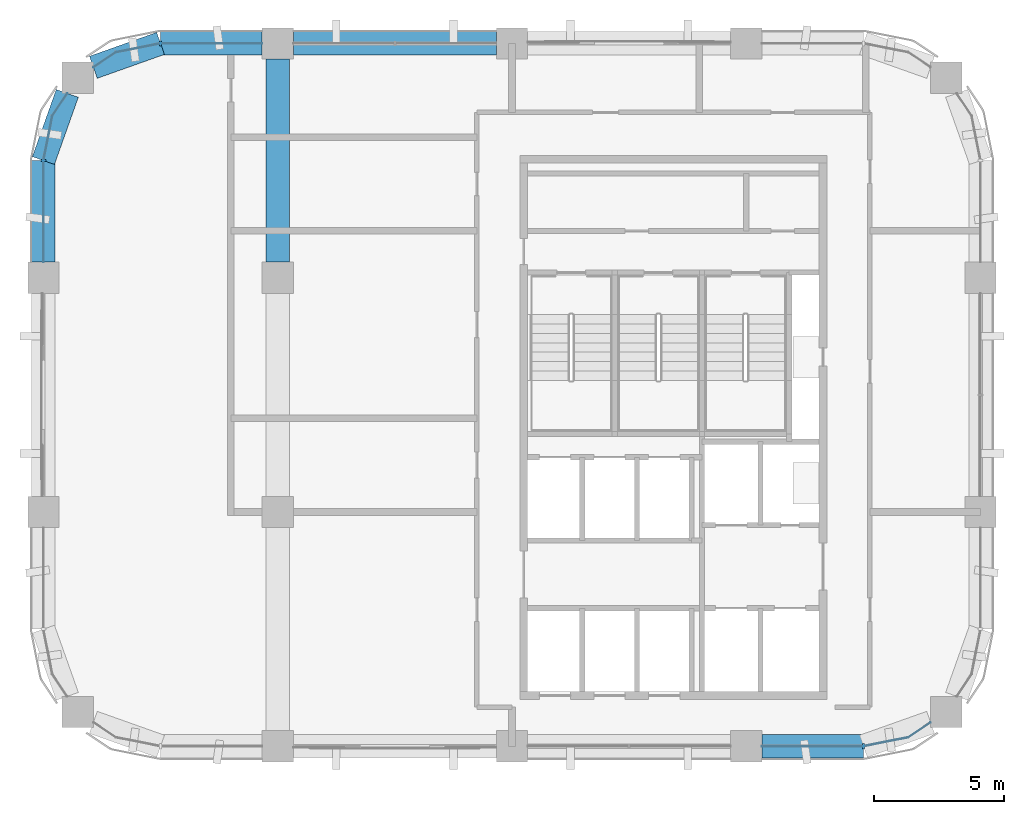
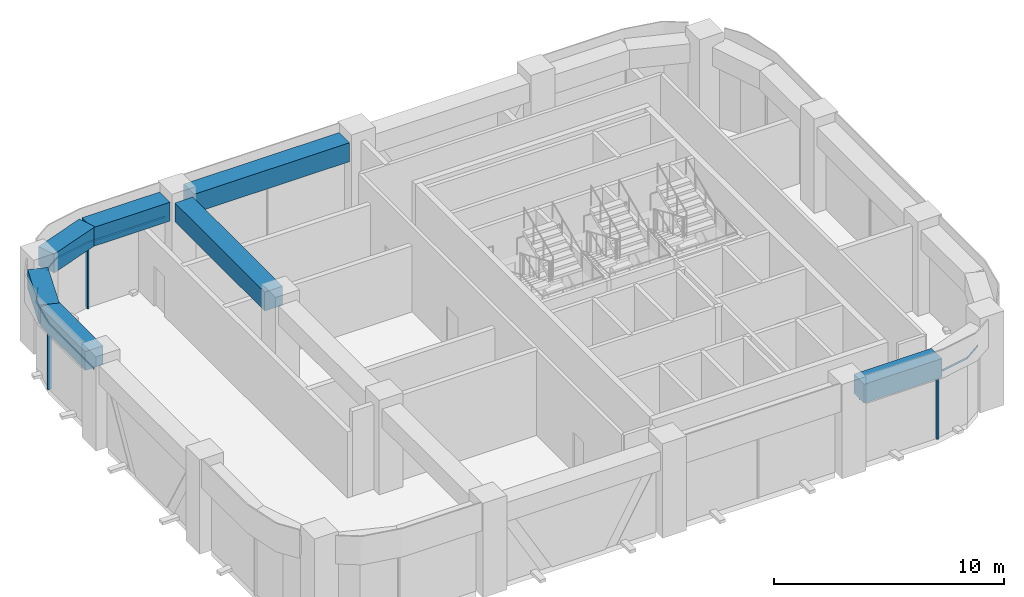
# One storey, part 3 of 11: 7 beams, 6 members, 3 elements without a shape of their own.
"""IFC4 building model written with IfcOpenShell, lengths in metres."""

from ifc_helpers import new_model, si_unit, direction, frame, origin, origin_2d, place, context, subcontext, project, spatial, polyline, rectangle, outline, extrude, material, material_profile, profile_set, type_object, element, aggregate, save


model = new_model("IFC4")

# Units and contexts
model_context = context("Model", 3, precision=1e-05, world=origin(), true_north=direction((0.0, 1.0)))
body_context = subcontext(model_context, "Body", "Model", "MODEL_VIEW")
ifc_project = project(units=[si_unit("LENGTHUNIT", "METRE"), si_unit("AREAUNIT", "SQUARE_METRE"), si_unit("VOLUMEUNIT", "CUBIC_METRE"), si_unit("PLANEANGLEUNIT", "RADIAN"), si_unit("MASSUNIT", "GRAM", prefix="KILO")], contexts=[model_context])

# Site, building, storey
site_placement = place(None, origin())
site = spatial("IfcSite", under=ifc_project, at=site_placement, CompositionType="ELEMENT")
building_placement = place(site_placement, origin())
building = spatial("IfcBuilding", under=site, at=building_placement, Name="Tessera Arch", CompositionType="ELEMENT")
storey_placement = place(building_placement, frame((0.0, 0.0, 290.199951171875)))
storey = spatial("IfcBuildingStorey", under=building, at=storey_placement, Name="L70", CompositionType="ELEMENT", Elevation=290.199951171875)

# Curtain wall, member
ifc_material_1 = material(Name="CW2 curtain wall")
curtain_wall_type = type_object("IfcCurtainWallType", Name="CW2 curtain wall", PredefinedType="NOTDEFINED", material=ifc_material_1)
curtain_wall_1_placement = place(storey_placement, origin())
curtain_wall_1 = element("IfcCurtainWall", 1, at=curtain_wall_1_placement, inside=storey, type_object=curtain_wall_type, Name="CW2 curtain wall N54.18/3 L70", PredefinedType="NOTDEFINED")
ifc_material_2 = material(Name="Anodised aluminium pale metal", Category="aluminium")
ifc_material_profile_1 = material_profile(ifc_material_2, rectangle(XDim=0.199951171875, YDim=0.080078125, at=origin_2d()), Name="AL 80x200")
ifc_profile_set_1 = profile_set([ifc_material_profile_1], Name="Anodised aluminium pale metal")
member_type_1 = type_object("IfcMemberType", Name="CW2 mullion", PredefinedType="MULLION", material=ifc_profile_set_1)
member_1_placement = place(storey_placement, frame((22.5, 54.0, 0.0), z_axis=(0.0, 0.0, 1.0), x_axis=(0.0, -1.0, 0.0)))
member_1 = element("IfcMember", 2, at=member_1_placement, type_object=member_type_1, Name="CW2 mullion N54.18/3 1", PredefinedType="MULLION", context=body_context, shape_type="SweptSolid", body=[
    extrude(rectangle(XDim=0.199951171875, YDim=0.080078125, at=origin_2d()), origin(), (0.0, 0.0, 1.0), 3.400146484375),
])

curtain_wall_2_placement = place(storey_placement, origin())
curtain_wall_2 = element("IfcCurtainWall", 3, at=curtain_wall_2_placement, inside=storey, type_object=curtain_wall_type, Name="CW2 curtain wall W18.27/0 L70", PredefinedType="NOTDEFINED")
member_2_placement = place(storey_placement, frame((18.0, 49.5, 0.0), z_axis=(0.0, 0.0, 1.0), x_axis=(1.0, 0.0, 0.0)))
member_2 = element("IfcMember", 4, at=member_2_placement, type_object=member_type_1, Name="CW2 mullion W18.27/0 1", PredefinedType="MULLION", context=body_context, shape_type="SweptSolid", body=[
    extrude(rectangle(XDim=0.199951171875, YDim=0.080078125, at=origin_2d()), origin(), (0.0, 0.0, 1.0), 3.400146484375),
])

curtain_wall_3_placement = place(storey_placement, origin())
curtain_wall_3 = element("IfcCurtainWall", 5, at=curtain_wall_3_placement, inside=storey, type_object=curtain_wall_type, Name="CW2 curtain wall S27.18/3 L70", PredefinedType="NOTDEFINED")
member_3_placement = place(storey_placement, frame((49.5, 27.0, 0.0), z_axis=(0.0, 0.0, 1.0), x_axis=(0.0, 1.0, 0.0)))
member_3 = element("IfcMember", 6, at=member_3_placement, type_object=member_type_1, Name="CW2 mullion S27.18/3 1", PredefinedType="MULLION", context=body_context, shape_type="SweptSolid", body=[
    extrude(rectangle(XDim=0.199951171875, YDim=0.080078125, at=origin_2d()), origin(), (0.0, 0.0, 1.0), 3.400146484375),
])

# Member
ifc_material_3 = material(Name="Anodised aluminium pale metal", Category="aluminium")
ifc_material_profile_2 = material_profile(ifc_material_3, rectangle(XDim=0.199951171875, YDim=0.10009765625, at=origin_2d()), Name="AL 200x100")
ifc_profile_set_2 = profile_set([ifc_material_profile_2], Name="Anodised aluminium pale metal")
member_type_2 = type_object("IfcMemberType", Name="CW2 transom", PredefinedType="USERDEFINED", material=ifc_profile_set_2)
member_4_placement = place(storey_placement, frame((0.0, 0.0, 3.400146484375)))
member_4 = element("IfcMember", 7, at=member_4_placement, type_object=member_type_2, Name="CW2 transom N54.18/3 1", ObjectType="TRANSOM", PredefinedType="USERDEFINED", context=body_context, shape_type="SweptSolid", body=[
    extrude(outline(polyline([(22.5009765625, 53.989990234375), (26.39990234375, 53.989990234375), (26.39990234375, 54.010009765625), (22.4990234375, 54.010009765625), (20.77392578125, 53.6669921875), (19.912353515625, 53.09130859375), (19.923583984375, 53.07470703125), (20.78173828125, 53.648193359375), (22.5009765625, 53.989990234375)])), origin(), (0.0, 0.0, 1.0), 0.099853515625),
])

aggregate(curtain_wall_1, [member_1, member_4])

member_5_placement = place(storey_placement, frame((0.0, 0.0, 3.400146484375)))
member_5 = element("IfcMember", 8, at=member_5_placement, type_object=member_type_2, Name="CW2 transom W18.27/0 1", ObjectType="TRANSOM", PredefinedType="USERDEFINED", context=body_context, shape_type="SweptSolid", body=[
    extrude(outline(polyline([(18.351806640625, 51.21826171875), (18.92529296875, 52.076416015625), (18.90869140625, 52.087646484375), (18.3330078125, 51.22607421875), (17.989990234375, 49.5009765625), (17.989990234375, 45.60009765625), (18.010009765625, 45.60009765625), (18.010009765625, 49.4990234375), (18.351806640625, 51.21826171875)])), origin(), (0.0, 0.0, 1.0), 0.099853515625),
])

aggregate(curtain_wall_2, [member_2, member_5])

member_6_placement = place(storey_placement, frame((0.0, 0.0, 3.400146484375)))
member_6 = element("IfcMember", 9, at=member_6_placement, type_object=member_type_2, Name="CW2 transom S27.18/3 1", ObjectType="TRANSOM", PredefinedType="USERDEFINED", context=body_context, shape_type="SweptSolid", body=[
    extrude(outline(polyline([(49.4990234375, 27.010009765625), (45.60009765625, 27.010009765625), (45.60009765625, 26.989990234375), (49.5009765625, 26.989990234375), (51.22607421875, 27.3330078125), (52.087646484375, 27.90869140625), (52.076416015625, 27.92529296875), (51.21826171875, 27.351806640625), (49.4990234375, 27.010009765625)])), origin(), (0.0, 0.0, 1.0), 0.099853515625),
])

aggregate(curtain_wall_3, [member_3, member_6])

# Beams
ifc_material_4 = material(Name="Concrete C60/75", Category="concrete")
ifc_material_profile_3 = material_profile(ifc_material_4, rectangle(XDim=0.89990234375, YDim=1.0, at=origin_2d()), Name="RC spandrel beam 900 x 1000 Concrete C60/75")
ifc_profile_set_3 = profile_set([ifc_material_profile_3], Name="Concrete C60/75")
beam_type = type_object("IfcBeamType", Name="RC spandrel beam 900 x 1000 Concrete C60/75", PredefinedType="BEAM", material=ifc_profile_set_3)
beam_1_placement = place(storey_placement, frame((35.39990234375, 54.0, 4.0), z_axis=(-1.0, 0.0, 0.0), x_axis=(0.0, -1.0, 0.0)))
element("IfcBeam", 10, at=beam_1_placement, inside=storey, type_object=beam_type, Name="Spandrel beam L70 N54.18/2", PredefinedType="BEAM", context=body_context, shape_type="SweptSolid", body=[
    extrude(rectangle(XDim=0.89990234375, YDim=1.0, at=origin_2d()), origin(), (0.0, 0.0, 1.0), 7.7998046875),
])
beam_2_placement = place(storey_placement, frame((26.39990234375, 54.0, 4.0), z_axis=(-1.0, 0.0, 0.0), x_axis=(0.0, -1.0, 0.0)))
element("IfcBeam", 11, at=beam_2_placement, inside=storey, type_object=beam_type, Name="Spandrel beam L70 N54.18/3.1", PredefinedType="BEAM", context=body_context, shape_type="SweptSolid", body=[
    extrude(rectangle(XDim=0.89990234375, YDim=1.0, at=origin_2d()), origin(), (0.0, 0.0, 1.0), 3.89990234375),
])
for number, where, z_axis, x_axis, name in (
    (12, (22.5, 54.0, 4.0), (-0.942337127159, -0.334665114373, 0.0), (0.334665114373, -0.942337127159, 0.0), "Spandrel beam L70 N54.18/3.2"),
    (13, (18.9169921875, 52.08203125, 4.0), (-0.334665114373, -0.942337127159, 0.0), (0.942337127159, -0.334665114373, 0.0), "Spandrel beam L70 W18.27/0.1"),
):
    element("IfcBeam", number, at=place(storey_placement, frame(where, z_axis=z_axis, x_axis=x_axis)), inside=storey, type_object=beam_type, Name=name, PredefinedType="BEAM", context=body_context, shape_type="SweptSolid", body=[
        extrude(rectangle(XDim=0.89990234375, YDim=1.0, at=origin_2d()), origin(), (0.0, 0.0, 1.0), 2.739990234375),
    ])
for number, where, z_axis, x_axis, name in (
    (14, (18.0, 49.5, 4.0), (0.0, -1.0, 0.0), (1.0, 0.0, 0.0), "Spandrel beam L70 W18.27/0.2"),
    (15, (45.60009765625, 27.0, 4.0), (1.0, 0.0, 0.0), (0.0, 1.0, 0.0), "Spandrel beam L70 S27.18/3.1"),
):
    element("IfcBeam", number, at=place(storey_placement, frame(where, z_axis=z_axis, x_axis=x_axis)), inside=storey, type_object=beam_type, Name=name, PredefinedType="BEAM", context=body_context, shape_type="SweptSolid", body=[
        extrude(rectangle(XDim=0.89990234375, YDim=1.0, at=origin_2d()), origin(), (0.0, 0.0, 1.0), 3.89990234375),
    ])
beam_3_placement = place(storey_placement, frame((27.0, 45.60009765625, 4.0), z_axis=(0.0, 1.0, 0.0), x_axis=(-1.0, 0.0, 0.0)))
element("IfcBeam", 16, at=beam_3_placement, inside=storey, type_object=beam_type, Name="Interface beam L70 I0C4F-C4G", PredefinedType="BEAM", context=body_context, shape_type="SweptSolid", body=[
    extrude(rectangle(XDim=0.89990234375, YDim=1.0, at=origin_2d()), origin(), (0.0, 0.0, 1.0), 7.7998046875),
])

save(model, "model.ifc")
